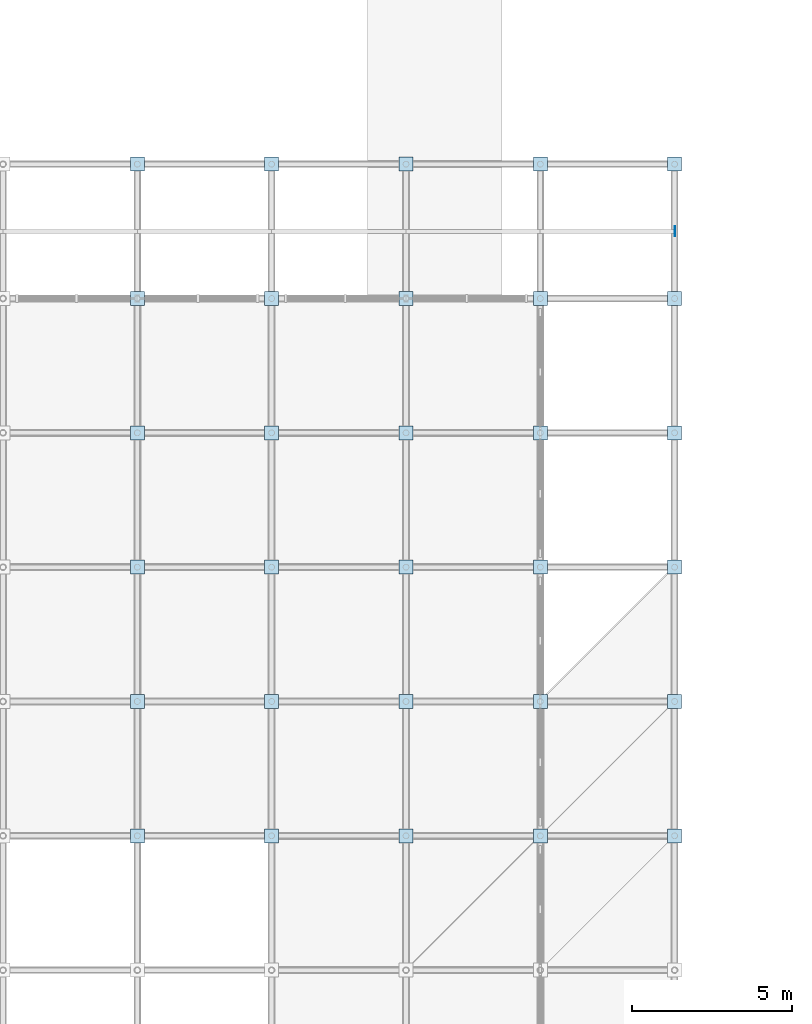
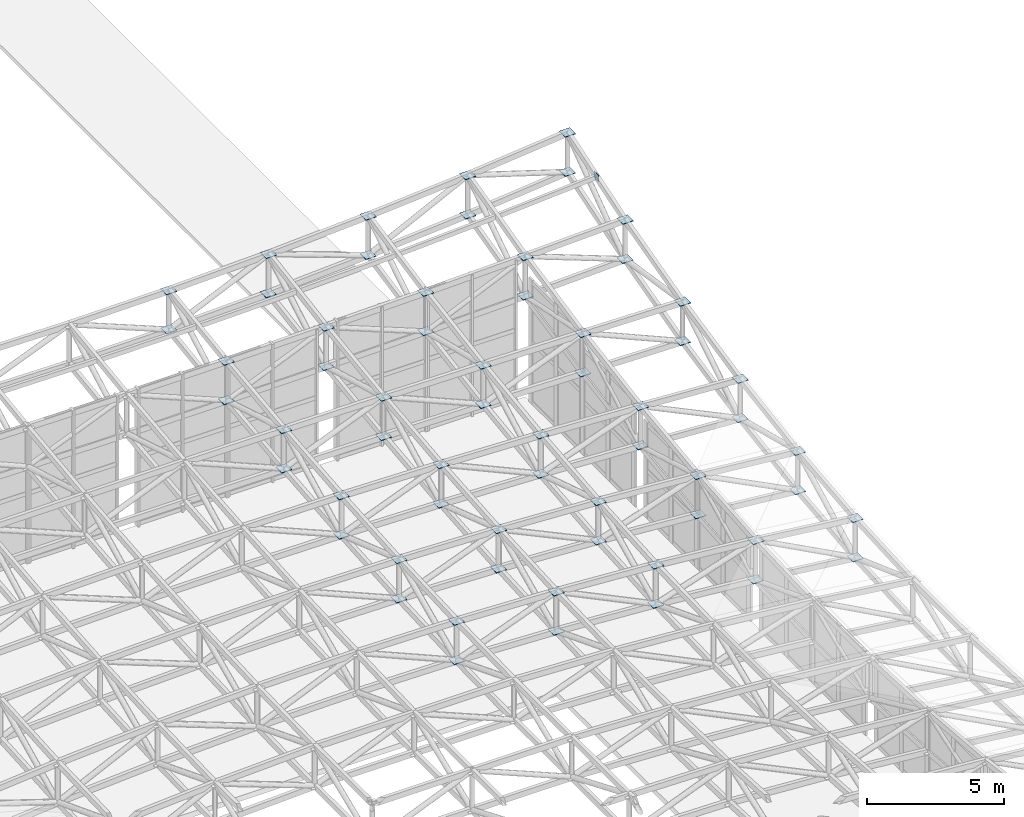
# One storey, part 77 of 132: 61 plates.
"""IFC4 building model written with IfcOpenShell, lengths in metres."""

import ifcopenshell
import ifcopenshell.guid

model = None  # the IFC model being written
_history = None  # IfcOwnerHistory: only IFC2X3 demands one
_inside = {}  # id of a spatial element -> (the spatial element, [elements in it])
_under = {}  # id of a project, library or spatial element -> (it, [spatial elements below it])
_declared = {}  # id of a project -> (the project, [libraries it declares])
_typed = {}  # id of a type object -> (the type object, [elements of that type])
_made_of = {}  # id of a material, layer set ... -> (it, [elements and type objects made of it])


def new_model(schema):
    """Start an empty IFC model of exactly this schema.

    Asked for "IFC4X3", IfcOpenShell would pick the latest addendum, in which some entities
    have other attributes; the version numbers below select the first issue.
    IFC2X3 requires an IfcOwnerHistory on every rooted entity: one is made here for all.
    """
    global model, _history
    if schema == "IFC4X3":
        model = ifcopenshell.file(schema_version=(4, 3, 0, 0))
    else:
        model = ifcopenshell.file(schema=schema)
    _inside.clear()
    _under.clear()
    _declared.clear()
    _typed.clear()
    _made_of.clear()
    _history = None
    if model.schema == "IFC2X3":
        org = make("IfcOrganization", Name="unknown")
        user = make(
            "IfcPersonAndOrganization",
            ThePerson=make("IfcPerson", FamilyName="unknown"),
            TheOrganization=org,
        )
        app = make(
            "IfcApplication",
            ApplicationDeveloper=org,
            Version="unknown",
            ApplicationFullName="unknown",
            ApplicationIdentifier="unknown",
        )
        _history = make(
            "IfcOwnerHistory",
            OwningUser=user,
            OwningApplication=app,
            ChangeAction="ADDED",
            CreationDate=0,
        )
    return model


def make(cls, **values):
    """One entity of the class cls with the attributes given. An attribute that is None is left unset."""
    return model.create_entity(
        cls, **{name: value for name, value in values.items() if value is not None}
    )


def rooted(cls, **values):
    """An entity with a GlobalId (a new one), such as an element, a storey or a relation."""
    return make(cls, GlobalId=ifcopenshell.guid.new(), OwnerHistory=_history, **values)


def si_unit(unit_type, name, prefix=None):
    """IfcSIUnit, for example si_unit("LENGTHUNIT", "METRE", prefix="MILLI")."""
    return make("IfcSIUnit", UnitType=unit_type, Prefix=prefix, Name=name)


def assignment(units):
    """IfcUnitAssignment: the units of a project."""
    return None if units is None else make("IfcUnitAssignment", Units=units)


def point(xyz):
    """IfcCartesianPoint."""
    return None if xyz is None else make("IfcCartesianPoint", Coordinates=xyz)


def direction(xyz):
    """IfcDirection."""
    return None if xyz is None else make("IfcDirection", DirectionRatios=xyz)


def frame(location, z_axis=None, x_axis=None):
    """IfcAxis2Placement3D, a coordinate frame: its origin and axes. An axis left out is left unset."""
    return make(
        "IfcAxis2Placement3D",
        Location=point(location),
        Axis=direction(z_axis),
        RefDirection=direction(x_axis),
    )


def frame_2d(location, x_axis=None):
    """IfcAxis2Placement2D, a coordinate frame in the plane: its origin and x axis."""
    return make(
        "IfcAxis2Placement2D", Location=point(location), RefDirection=direction(x_axis)
    )


def origin():
    """The frame at (0, 0, 0) with its axes left unset."""
    return frame((0.0, 0.0, 0.0))


def origin_2d():
    """The frame at (0, 0) in the plane with its x axis left unset."""
    return frame_2d((0.0, 0.0))


def place(relative_to, where):
    """IfcLocalPlacement: puts the frame where relative to a parent placement (None: the world)."""
    return make(
        "IfcLocalPlacement", PlacementRelTo=relative_to, RelativePlacement=where
    )


def context(
    kind, dimensions, precision=None, world=None, true_north=None, identifier=None
):
    """IfcGeometricRepresentationContext, for example the 3D "Model" context."""
    return make(
        "IfcGeometricRepresentationContext",
        ContextIdentifier=identifier,
        ContextType=kind,
        CoordinateSpaceDimension=dimensions,
        Precision=precision,
        WorldCoordinateSystem=world,
        TrueNorth=true_north,
    )


def subcontext(parent, identifier, kind, view, scale=None):
    """IfcGeometricRepresentationSubContext, for example "Body" below "Model"."""
    return make(
        "IfcGeometricRepresentationSubContext",
        ContextIdentifier=identifier,
        ContextType=kind,
        ParentContext=parent,
        TargetScale=scale,
        TargetView=view,
    )


def project(units=None, contexts=None):
    """IfcProject with its units and contexts."""
    return rooted(
        "IfcProject",
        Name="project",
        RepresentationContexts=contexts,
        UnitsInContext=assignment(units),
    )


def spatial(cls, under=None, at=None, **own):
    """A site, building, storey or space (cls), placed at a placement, below another one or the project."""
    s = rooted(cls, ObjectPlacement=at, **own)
    if under is not None:
        _under.setdefault(under.id(), (under, []))[1].append(s)
    return s


def profile(cls, at=None, kind="AREA", **sizes):
    """A parametric profile (cls). Its sizes go by their IFC names, for example OverallWidth=200.0."""
    return make(cls, ProfileType=kind, Position=at, **sizes)


def rectangle(**sizes):
    """IfcRectangleProfileDef."""
    return profile("IfcRectangleProfileDef", **sizes)


def extrude(swept, where, along, depth):
    """IfcExtrudedAreaSolid: the profile swept, set in the frame where, extruded along a direction by depth."""
    return make(
        "IfcExtrudedAreaSolid",
        SweptArea=swept,
        Position=where,
        ExtrudedDirection=direction(along),
        Depth=depth,
    )


def shape(context_of_items, identifier, shape_type, items):
    """IfcShapeRepresentation: the items that make up one representation, for example the "Body"."""
    return make(
        "IfcShapeRepresentation",
        ContextOfItems=context_of_items,
        RepresentationIdentifier=identifier,
        RepresentationType=shape_type,
        Items=items,
    )


def material(Name=None, Category=None):
    """IfcMaterial."""
    return make("IfcMaterial", Name=Name, Category=Category)


def layer(
    of_material, thickness, ventilated=None, Name=None, Category=None, Priority=None
):
    """IfcMaterialLayer: one layer of a wall or slab, of a material (None: an air gap)."""
    return make(
        "IfcMaterialLayer",
        Material=of_material,
        LayerThickness=thickness,
        IsVentilated=ventilated,
        Name=Name,
        Category=Category,
        Priority=Priority,
    )


def layer_set(layers, Name=None):
    """IfcMaterialLayerSet."""
    return make("IfcMaterialLayerSet", MaterialLayers=layers, LayerSetName=Name)


def made_of(thing, what):
    """Note that an element or type object is made of a material, layer set ...; save() writes the relation."""
    if what is not None:
        _made_of.setdefault(what.id(), (what, []))[1].append(thing)
    return thing


def type_object(cls, material=None, **own):
    """A type object (cls), such as IfcWallType, which elements share."""
    return made_of(rooted(cls, **own), material)


def element(
    cls,
    number,
    at=None,
    inside=None,
    cuts=None,
    type_object=None,
    material=None,
    context=None,
    identifier="Body",
    shape_type=None,
    held_by="IfcProductDefinitionShape",
    body=None,
    shapes=None,
    **own,
):
    """One element of the class cls, such as IfcWall. Its Tag is "e" and its number.

    at: its placement. inside: the storey or other place that contains it. cuts: it is an
    opening in that element (IfcRelVoidsElement). A single representation is given by context,
    identifier, shape_type and body (its items); several are given by shapes. held_by: the class
    of the entity that holds the representations. save() writes the other relations.
    """
    e = rooted(cls, Tag="e%d" % number, ObjectPlacement=at, **own)
    if body is not None:
        shapes = [shape(context, identifier, shape_type, body)]
    if shapes is not None:
        e.Representation = make(held_by, Representations=shapes)
    if inside is not None:
        _inside.setdefault(inside.id(), (inside, []))[1].append(e)
    if cuts is not None:
        rooted(
            "IfcRelVoidsElement", RelatingBuildingElement=cuts, RelatedOpeningElement=e
        )
    if type_object is not None:
        _typed.setdefault(type_object.id(), (type_object, []))[1].append(e)
    return made_of(e, material)


def aggregate(whole, parts):
    """IfcRelAggregates: a whole, such as a stair, and the parts it consists of."""
    return rooted("IfcRelAggregates", RelatingObject=whole, RelatedObjects=parts)


def save(model, path):
    """Write the relations noted so far, then the file.

    IfcRelAggregates (storeys below a building ...), IfcRelContainedInSpatialStructure (elements
    in a storey), IfcRelDefinesByType, IfcRelAssociatesMaterial and IfcRelDeclares: one each for
    every whole, place, type object, material and project.
    """
    for whole, parts in _under.values():
        aggregate(whole, parts)
    for where, things in _inside.values():
        rooted(
            "IfcRelContainedInSpatialStructure",
            RelatedElements=things,
            RelatingStructure=where,
        )
    for kind, things in _typed.values():
        rooted("IfcRelDefinesByType", RelatedObjects=things, RelatingType=kind)
    for what, things in _made_of.values():
        rooted("IfcRelAssociatesMaterial", RelatedObjects=things, RelatingMaterial=what)
    for by, libraries in _declared.values():
        rooted("IfcRelDeclares", RelatingContext=by, RelatedDefinitions=libraries)
    model.write(path)


model = new_model("IFC4")

# Units and contexts
model_context = context("Model", 3, precision=1e-05, world=origin(), true_north=direction((0.0, 1.0)))
body_context = subcontext(model_context, "Body", "Model", "MODEL_VIEW")
ifc_project = project(units=[si_unit("LENGTHUNIT", "METRE"), si_unit("AREAUNIT", "SQUARE_METRE"), si_unit("VOLUMEUNIT", "CUBIC_METRE"), si_unit("PLANEANGLEUNIT", "RADIAN"), si_unit("MASSUNIT", "GRAM", prefix="KILO")], contexts=[model_context])

# Site, building, storey
site_placement = place(None, origin())
site = spatial("IfcSite", under=ifc_project, at=site_placement, CompositionType="ELEMENT")
building_placement = place(site_placement, origin())
building = spatial("IfcBuilding", under=site, at=building_placement, Name="Cumbredor Promenade Congress Hotel", CompositionType="ELEMENT")
storey_placement = place(building_placement, frame((0.0, 0.0, 7.56005859375)))
storey = spatial("IfcBuildingStorey", under=building, at=storey_placement, Name="L02", CompositionType="ELEMENT", Elevation=7.56005859375)

# Plates
ifc_material = material(Name="Steel ASTM A572 Grade 50", Category="steel")
ifc_layer_1 = layer(ifc_material, 0.02001953125, Name="Steel ASTM A572 Grade 50", Category="steel")
ifc_layer_set_1 = layer_set([ifc_layer_1], Name="Steel ASTM A572 Grade 50")
plate_type_1 = type_object("IfcPlateType", Name="Hollow Section End Cap Plate CP-05", PredefinedType="USERDEFINED", material=ifc_layer_set_1)
plate_placement = place(storey_placement, frame((113.407958984375, 52.5, 6.90283203125), z_axis=(0.0, 0.0, 1.0), x_axis=(1.0, 0.0, 0.0)))
element("IfcPlate", 1, at=plate_placement, inside=storey, type_object=plate_type_1, Name="Thermal Spa and Hydrotherapy Pavilion Roof Eave Purlin 10.13 End Cap Plate", ObjectType="CAP PLATE", PredefinedType="USERDEFINED", context=body_context, shape_type="SweptSolid", body=[
    extrude(rectangle(XDim=0.02001953125, YDim=0.320068359375, at=origin_2d()), origin(), (0.0, 0.0, 1.0), 0.320068359375),
])
ifc_layer_2 = layer(ifc_material, 0.028076171875, Name="Steel ASTM A572 Grade 50", Category="steel")
ifc_layer_set_2 = layer_set([ifc_layer_2], Name="Steel ASTM A572 Grade 50")
plate_type_2 = type_object("IfcPlateType", Name="Space Frame Node Assembly ND-03", PredefinedType="USERDEFINED", material=ifc_layer_set_2)
for number, where, z_axis, x_axis, name in (
    (2, (96.60009765625, 33.60009765625, 4.599609375), (0.0, 0.0, 1.0), (1.0, 0.0, 0.0), "Thermal Spa and Hydrotherapy Pavilion Space Frame Top Node 7.9"),
    (3, (96.60009765625, 33.60009765625, 2.849609375), (0.0, 0.0, 1.0), (1.0, 0.0, 0.0), "Thermal Spa and Hydrotherapy Pavilion Space Frame Bottom Node 7.9"),
    (4, (96.60009765625, 37.800048828125, 4.798828125), (0.0, 0.0, 1.0), (1.0, 0.0, 0.0), "Thermal Spa and Hydrotherapy Pavilion Space Frame Top Node 7.10"),
    (5, (96.60009765625, 37.800048828125, 3.048828125), (0.0, 0.0, 1.0), (1.0, 0.0, 0.0), "Thermal Spa and Hydrotherapy Pavilion Space Frame Bottom Node 7.10"),
    (6, (96.60009765625, 42.0, 5.09765625), (0.0, 0.0, 1.0), (1.0, 0.0, 0.0), "Thermal Spa and Hydrotherapy Pavilion Space Frame Top Node 7.11"),
    (7, (96.60009765625, 42.0, 3.34765625), (0.0, 0.0, 1.0), (1.0, 0.0, 0.0), "Thermal Spa and Hydrotherapy Pavilion Space Frame Bottom Node 7.11"),
    (8, (96.60009765625, 46.199951171875, 5.49609375), (0.0, 0.0, 1.0), (1.0, 0.0, 0.0), "Thermal Spa and Hydrotherapy Pavilion Space Frame Top Node 7.12"),
    (9, (96.60009765625, 46.199951171875, 3.74609375), (0.0, 0.0, 1.0), (1.0, 0.0, 0.0), "Thermal Spa and Hydrotherapy Pavilion Space Frame Bottom Node 7.12"),
    (10, (96.60009765625, 50.39990234375, 5.994140625), (0.0, 0.0, 1.0), (1.0, 0.0, 0.0), "Thermal Spa and Hydrotherapy Pavilion Space Frame Top Node 7.13"),
    (11, (96.60009765625, 50.39990234375, 4.244140625), (0.0, 0.0, 1.0), (1.0, 0.0, 0.0), "Thermal Spa and Hydrotherapy Pavilion Space Frame Bottom Node 7.13"),
    (12, (96.60009765625, 54.60009765625, 6.59326171875), (0.0, 0.0, 1.0), (1.0, 0.0, 0.0), "Thermal Spa and Hydrotherapy Pavilion Space Frame Top Node 7.14"),
    (13, (96.60009765625, 54.60009765625, 4.84326171875), (0.0, 0.0, 1.0), (1.0, 0.0, 0.0), "Thermal Spa and Hydrotherapy Pavilion Space Frame Bottom Node 7.14"),
    (14, (100.800048828125, 33.60009765625, 4.4365234375), (0.0, 0.0, 1.0), (1.0, 0.0, 0.0), "Thermal Spa and Hydrotherapy Pavilion Space Frame Top Node 8.9"),
    (15, (100.800048828125, 33.60009765625, 2.6865234375), (0.0, 0.0, 1.0), (1.0, 0.0, 0.0), "Thermal Spa and Hydrotherapy Pavilion Space Frame Bottom Node 8.9"),
    (16, (100.800048828125, 37.800048828125, 4.666015625), (0.0, 0.0, 1.0), (1.0, 0.0, 0.0), "Thermal Spa and Hydrotherapy Pavilion Space Frame Top Node 8.10"),
    (17, (100.800048828125, 37.800048828125, 2.916015625), (0.0, 0.0, 1.0), (1.0, 0.0, 0.0), "Thermal Spa and Hydrotherapy Pavilion Space Frame Bottom Node 8.10"),
    (18, (100.800048828125, 42.0, 5.0107421875), (0.0, 0.0, 1.0), (1.0, 0.0, 0.0), "Thermal Spa and Hydrotherapy Pavilion Space Frame Top Node 8.11"),
    (19, (100.800048828125, 42.0, 3.2607421875), (0.0, 0.0, 1.0), (1.0, 0.0, 0.0), "Thermal Spa and Hydrotherapy Pavilion Space Frame Bottom Node 8.11"),
    (20, (100.800048828125, 46.199951171875, 5.47021484375), (0.0, 0.0, 1.0), (1.0, 0.0, 0.0), "Thermal Spa and Hydrotherapy Pavilion Space Frame Top Node 8.12"),
    (21, (100.800048828125, 46.199951171875, 3.72021484375), (0.0, 0.0, 1.0), (1.0, 0.0, 0.0), "Thermal Spa and Hydrotherapy Pavilion Space Frame Bottom Node 8.12"),
    (22, (100.800048828125, 50.39990234375, 6.04443359375), (0.0, 0.0, 1.0), (1.0, 0.0, 0.0), "Thermal Spa and Hydrotherapy Pavilion Space Frame Top Node 8.13"),
    (23, (100.800048828125, 50.39990234375, 4.29443359375), (0.0, 0.0, 1.0), (1.0, 0.0, 0.0), "Thermal Spa and Hydrotherapy Pavilion Space Frame Bottom Node 8.13"),
    (24, (100.800048828125, 54.60009765625, 6.736328125), (0.0, 0.0, 1.0), (1.0, 0.0, 0.0), "Thermal Spa and Hydrotherapy Pavilion Space Frame Top Node 8.14"),
    (25, (100.800048828125, 54.60009765625, 4.986328125), (0.0, 0.0, 1.0), (1.0, 0.0, 0.0), "Thermal Spa and Hydrotherapy Pavilion Space Frame Bottom Node 8.14"),
    (26, (105.0, 33.60009765625, 4.1640625), (0.0, 0.0, 1.0), (1.0, 0.0, 0.0), "Thermal Spa and Hydrotherapy Pavilion Space Frame Top Node 9.9"),
    (27, (105.0, 33.60009765625, 2.4140625), (0.0, 0.0, 1.0), (1.0, 0.0, 0.0), "Thermal Spa and Hydrotherapy Pavilion Space Frame Bottom Node 9.9"),
    (28, (105.0, 37.800048828125, 4.44482421875), (0.0, 0.0, 1.0), (1.0, 0.0, 0.0), "Thermal Spa and Hydrotherapy Pavilion Space Frame Top Node 9.10"),
    (29, (105.0, 37.800048828125, 2.69482421875), (0.0, 0.0, 1.0), (1.0, 0.0, 0.0), "Thermal Spa and Hydrotherapy Pavilion Space Frame Bottom Node 9.10"),
    (30, (105.0, 42.0, 4.86572265625), (0.0, 0.0, 1.0), (1.0, 0.0, 0.0), "Thermal Spa and Hydrotherapy Pavilion Space Frame Top Node 9.11"),
    (31, (105.0, 42.0, 3.11572265625), (0.0, 0.0, 1.0), (1.0, 0.0, 0.0), "Thermal Spa and Hydrotherapy Pavilion Space Frame Bottom Node 9.11"),
    (32, (105.0, 46.199951171875, 5.4267578125), (0.0, 0.0, 1.0), (1.0, 0.0, 0.0), "Thermal Spa and Hydrotherapy Pavilion Space Frame Top Node 9.12"),
    (33, (105.0, 46.199951171875, 3.6767578125), (0.0, 0.0, 1.0), (1.0, 0.0, 0.0), "Thermal Spa and Hydrotherapy Pavilion Space Frame Bottom Node 9.12"),
    (34, (105.0, 50.39990234375, 6.1279296875), (0.0, 0.0, 1.0), (1.0, 0.0, 0.0), "Thermal Spa and Hydrotherapy Pavilion Space Frame Top Node 9.13"),
    (35, (105.0, 50.39990234375, 4.3779296875), (0.0, 0.0, 1.0), (1.0, 0.0, 0.0), "Thermal Spa and Hydrotherapy Pavilion Space Frame Bottom Node 9.13"),
    (36, (105.0, 54.60009765625, 6.97412109375), (0.0, 0.0, 1.0), (1.0, 0.0, 0.0), "Thermal Spa and Hydrotherapy Pavilion Space Frame Top Node 9.14"),
    (37, (105.0, 54.60009765625, 5.22412109375), (0.0, 0.0, 1.0), (1.0, 0.0, 0.0), "Thermal Spa and Hydrotherapy Pavilion Space Frame Bottom Node 9.14"),
    (38, (109.199951171875, 33.60009765625, 3.783203125), (0.0, 0.0, 1.0), (1.0, 0.0, 0.0), "Thermal Spa and Hydrotherapy Pavilion Space Frame Top Node 10.9"),
    (39, (109.199951171875, 33.60009765625, 2.033203125), (0.0, 0.0, 1.0), (1.0, 0.0, 0.0), "Thermal Spa and Hydrotherapy Pavilion Space Frame Bottom Node 10.9"),
    (40, (109.199951171875, 37.800048828125, 4.13525390625), (0.0, 0.0, 1.0), (1.0, 0.0, 0.0), "Thermal Spa and Hydrotherapy Pavilion Space Frame Top Node 10.10"),
    (41, (109.199951171875, 37.800048828125, 2.38525390625), (0.0, 0.0, 1.0), (1.0, 0.0, 0.0), "Thermal Spa and Hydrotherapy Pavilion Space Frame Bottom Node 10.10"),
    (42, (109.199951171875, 42.0, 4.6630859375), (0.0, 0.0, 1.0), (1.0, 0.0, 0.0), "Thermal Spa and Hydrotherapy Pavilion Space Frame Top Node 10.11"),
    (43, (109.199951171875, 42.0, 2.9130859375), (0.0, 0.0, 1.0), (1.0, 0.0, 0.0), "Thermal Spa and Hydrotherapy Pavilion Space Frame Bottom Node 10.11"),
    (44, (109.199951171875, 46.199951171875, 5.3662109375), (0.0, 0.0, 1.0), (1.0, 0.0, 0.0), "Thermal Spa and Hydrotherapy Pavilion Space Frame Top Node 10.12"),
    (45, (109.199951171875, 46.199951171875, 3.6162109375), (0.0, 0.0, 1.0), (1.0, 0.0, 0.0), "Thermal Spa and Hydrotherapy Pavilion Space Frame Bottom Node 10.12"),
    (46, (109.199951171875, 50.39990234375, 6.2451171875), (0.0, 0.0, 1.0), (1.0, 0.0, 0.0), "Thermal Spa and Hydrotherapy Pavilion Space Frame Top Node 10.13"),
    (47, (109.199951171875, 50.39990234375, 4.4951171875), (0.0, 0.0, 1.0), (1.0, 0.0, 0.0), "Thermal Spa and Hydrotherapy Pavilion Space Frame Bottom Node 10.13"),
    (48, (109.199951171875, 54.60009765625, 7.30712890625), (0.0, 0.0, 1.0), (1.0, 0.0, 0.0), "Thermal Spa and Hydrotherapy Pavilion Space Frame Top Node 10.14"),
    (49, (109.199951171875, 54.60009765625, 5.55712890625), (0.0, 0.0, 1.0), (1.0, 0.0, 0.0), "Thermal Spa and Hydrotherapy Pavilion Space Frame Bottom Node 10.14"),
    (50, (113.39990234375, 33.60009765625, 3.29541015625), (0.0, 0.0, 1.0), (1.0, 0.0, 0.0), "Thermal Spa and Hydrotherapy Pavilion Space Frame Top Node 11.9"),
    (51, (113.39990234375, 33.60009765625, 1.54541015625), (0.0, 0.0, 1.0), (1.0, 0.0, 0.0), "Thermal Spa and Hydrotherapy Pavilion Space Frame Bottom Node 11.9"),
    (52, (113.39990234375, 37.800048828125, 3.7392578125), (0.0, 0.0, 1.0), (1.0, 0.0, 0.0), "Thermal Spa and Hydrotherapy Pavilion Space Frame Top Node 11.10"),
    (53, (113.39990234375, 37.800048828125, 1.9892578125), (0.0, 0.0, 1.0), (1.0, 0.0, 0.0), "Thermal Spa and Hydrotherapy Pavilion Space Frame Bottom Node 11.10"),
    (54, (113.39990234375, 42.0, 4.40478515625), (0.0, 0.0, 1.0), (1.0, 0.0, 0.0), "Thermal Spa and Hydrotherapy Pavilion Space Frame Top Node 11.11"),
    (55, (113.39990234375, 42.0, 2.65478515625), (0.0, 0.0, 1.0), (1.0, 0.0, 0.0), "Thermal Spa and Hydrotherapy Pavilion Space Frame Bottom Node 11.11"),
    (56, (113.39990234375, 46.199951171875, 5.2919921875), (0.0, 0.0, 1.0), (1.0, 0.0, 0.0), "Thermal Spa and Hydrotherapy Pavilion Space Frame Top Node 11.12"),
    (57, (113.39990234375, 46.199951171875, 3.5419921875), (0.0, 0.0, 1.0), (1.0, 0.0, 0.0), "Thermal Spa and Hydrotherapy Pavilion Space Frame Bottom Node 11.12"),
    (58, (113.39990234375, 50.39990234375, 6.40087890625), (0.0, 0.0, 1.0), (1.0, 0.0, 0.0), "Thermal Spa and Hydrotherapy Pavilion Space Frame Top Node 11.13"),
    (59, (113.39990234375, 50.39990234375, 4.65087890625), (0.0, 0.0, 1.0), (1.0, 0.0, 0.0), "Thermal Spa and Hydrotherapy Pavilion Space Frame Bottom Node 11.13"),
    (60, (113.39990234375, 54.60009765625, 7.73583984375), (0.0, 0.0, 1.0), (1.0, 0.0, 0.0), "Thermal Spa and Hydrotherapy Pavilion Space Frame Top Node 11.14"),
    (61, (113.39990234375, 54.60009765625, 5.98583984375), (0.0, 0.0, 1.0), (1.0, 0.0, 0.0), "Thermal Spa and Hydrotherapy Pavilion Space Frame Bottom Node 11.14"),
):
    element("IfcPlate", number, at=place(storey_placement, frame(where, z_axis=z_axis, x_axis=x_axis)), inside=storey, type_object=plate_type_2, Name=name, ObjectType="GUSSET PLATE", PredefinedType="USERDEFINED", context=body_context, shape_type="SweptSolid", body=[
        extrude(rectangle(XDim=0.43994140625, YDim=0.43994140625, at=origin_2d()), origin(), (0.0, 0.0, 1.0), 0.028076171875),
    ])

save(model, "model.ifc")
